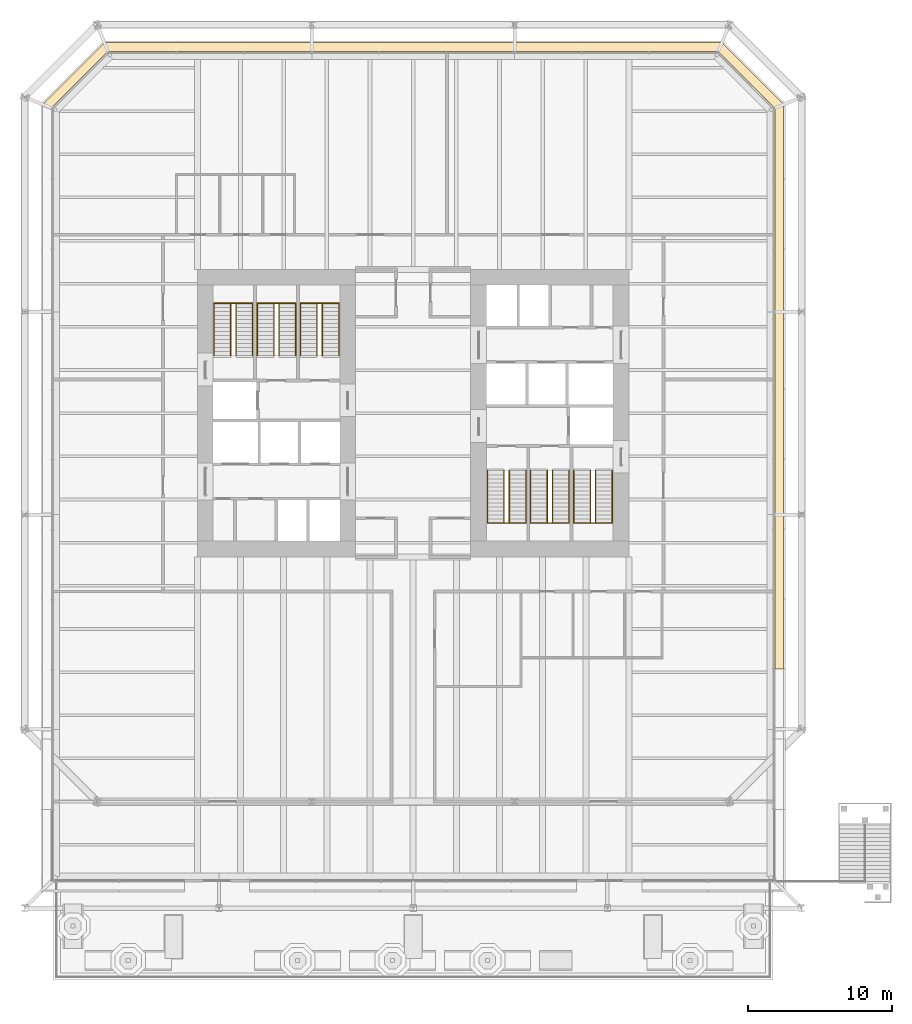
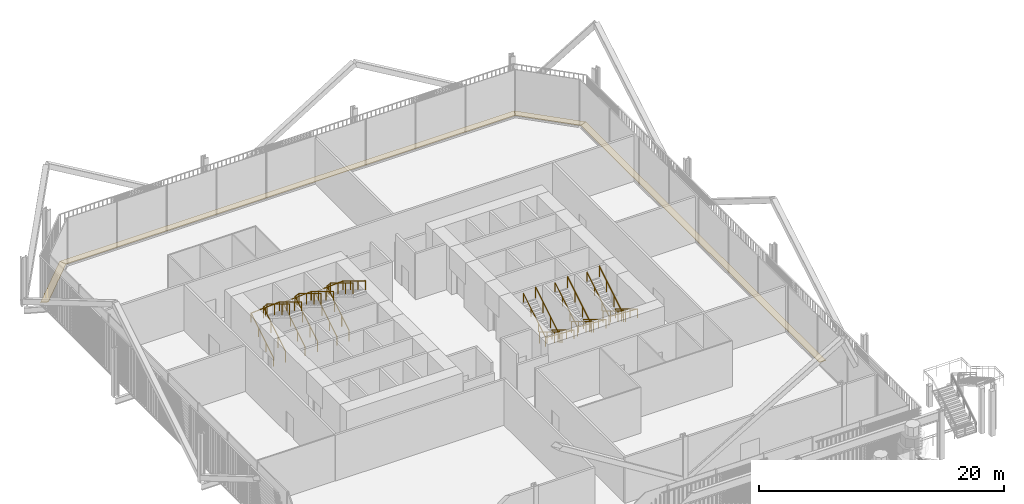
# One storey, part 25 of 26: 12 railings, 4 coverings.
"""IFC4 building model written with IfcOpenShell, lengths in metres."""

from ifc_helpers import new_model, si_unit, direction, frame, origin, origin_2d, place, context, subcontext, project, spatial, polyline, circle, outline, extrude, material, layer, layer_set, type_object, element, save


model = new_model("IFC4")

# Units and contexts
model_context = context("Model", 3, precision=1e-05, world=origin(), true_north=direction((0.0, 1.0)))
body_context = subcontext(model_context, "Body", "Model", "MODEL_VIEW")
ifc_project = project(units=[si_unit("LENGTHUNIT", "METRE"), si_unit("AREAUNIT", "SQUARE_METRE"), si_unit("VOLUMEUNIT", "CUBIC_METRE"), si_unit("PLANEANGLEUNIT", "RADIAN"), si_unit("MASSUNIT", "GRAM", prefix="KILO")], contexts=[model_context])

# Site, building, storey
site_placement = place(None, origin())
site = spatial("IfcSite", under=ifc_project, at=site_placement, CompositionType="ELEMENT")
building_placement = place(site_placement, origin())
building = spatial("IfcBuilding", under=site, at=building_placement, Name="Millrace Tower", CompositionType="ELEMENT")
storey_placement = place(building_placement, frame((0.0, 0.0, 11.300048828125)))
storey = spatial("IfcBuildingStorey", under=building, at=storey_placement, Name="L03", CompositionType="ELEMENT", Elevation=11.300048828125)

# Coverings
ifc_material_1 = material(Name="Steel ASTM A36", Category="steel")
ifc_layer = layer(ifc_material_1, 0.050048828125)
ifc_layer_set = layer_set([ifc_layer], Name="Steel ASTM A36")
covering_type = type_object("IfcCoveringType", Name="CAVITY CATWALK steel grating", PredefinedType="FLOORING", material=ifc_layer_set)
placement = place(storey_placement, frame((0.0, 0.0, 0.099853515625)))
element("IfcCovering", 1, at=placement, inside=storey, type_object=covering_type, Name="Cavity catwalk grating AW3-F02 L03 4", PredefinedType="FLOORING", context=body_context, shape_type="SweptSolid", body=[
    extrude(outline(polyline([(25.75, -17.79541015625), (25.75, 21.460693359375), (25.14990234375, 21.212158203125), (25.14990234375, -17.79541015625), (25.75, -17.79541015625)])), origin(), (0.0, 0.0, 1.0), 0.050048828125),
])
element("IfcCovering", 2, at=placement, inside=storey, type_object=covering_type, Name="Cavity catwalk grating AW3-F03 L03 1", PredefinedType="FLOORING", context=body_context, shape_type="SweptSolid", body=[
    extrude(outline(polyline([(25.75, 21.460693359375), (21.460693359375, 25.75), (21.212158203125, 25.14990234375), (25.14990234375, 21.212158203125), (25.75, 21.460693359375)])), origin(), (0.0, 0.0, 1.0), 0.050048828125),
])
element("IfcCovering", 3, at=placement, inside=storey, type_object=covering_type, Name="Cavity catwalk grating AW3-F04 L03 1", PredefinedType="FLOORING", context=body_context, shape_type="SweptSolid", body=[
    extrude(outline(polyline([(21.460693359375, 25.75), (-21.460693359375, 25.75), (-21.212158203125, 25.14990234375), (21.212158203125, 25.14990234375), (21.460693359375, 25.75)])), origin(), (0.0, 0.0, 1.0), 0.050048828125),
])
element("IfcCovering", 4, at=placement, inside=storey, type_object=covering_type, Name="Cavity catwalk grating AW3-F05 L03 1", PredefinedType="FLOORING", context=body_context, shape_type="SweptSolid", body=[
    extrude(outline(polyline([(-21.460693359375, 25.75), (-25.75, 21.460693359375), (-25.14990234375, 21.212158203125), (-21.212158203125, 25.14990234375), (-21.460693359375, 25.75)])), origin(), (0.0, 0.0, 1.0), 0.050048828125),
])

# Railings
ifc_material_2 = material(Name="Stainless steel ASTM A240 type 316", Category="steel")
railing_type_1 = type_object("IfcRailingType", Name="Stair guard 1100", PredefinedType="GUARDRAIL", material=ifc_material_2)
for number, where, name in (
    (5, (-12.679931640625, 4.0, 0.17138671875), "Stair guard 1 W L03"),
    (6, (-9.679931640625, 4.0, 0.17138671875), "Stair guard 2 W L03"),
    (7, (-6.679931640625, 4.0, 0.17138671875), "Stair guard 3 W L03"),
):
    element("IfcRailing", number, at=place(storey_placement, frame(where)), inside=storey, type_object=railing_type_1, Name=name, PredefinedType="GUARDRAIL", context=body_context, shape_type="SweptSolid", body=[
        extrude(circle(Radius=0.02392578125, at=origin_2d()), frame((0.0, 0.0, 1.076171875), z_axis=(0.0, 0.852850264322, 0.5221555579), x_axis=(-1.0, 0.0, 0.0)), (0.0, 0.0, 1.0), 4.267822265625),
        extrude(circle(Radius=0.02392578125, at=origin_2d()), frame((0.0, 3.639892578125, 3.3046875), z_axis=(0.902837873996, 0.0, 0.429981131306), x_axis=(0.0, 1.0, 0.0)), (0.0, 0.0, 1.0), 0.398681640625),
        extrude(circle(Radius=0.02392578125, at=origin_2d()), frame((0.35986328125, 3.639892578125, 3.47607421875), z_axis=(0.0, -0.852824790078, 0.522197163366), x_axis=(1.0, 0.0, 0.0)), (0.0, 0.0, 1.0), 4.26806640625),
        extrude(circle(Radius=0.02099609375, at=origin_2d()), origin(), (0.0, 0.0, 1.0), 1.052001953125),
        extrude(circle(Radius=0.02099609375, at=origin_2d()), frame((0.0, 1.21337890625, 0.742919921875)), (0.0, 0.0, 1.0), 1.052001953125),
        extrude(circle(Radius=0.02099609375, at=origin_2d()), frame((0.0, 2.426513671875, 1.485595703125)), (0.0, 0.0, 1.0), 1.052001953125),
        extrude(circle(Radius=0.02099609375, at=origin_2d()), frame((0.0, 3.639892578125, 2.228515625)), (0.0, 0.0, 1.0), 1.052001953125),
        extrude(circle(Radius=0.02099609375, at=origin_2d()), frame((0.35986328125, 3.639892578125, 2.39990234375)), (0.0, 0.0, 1.0), 1.052001953125),
        extrude(circle(Radius=0.02099609375, at=origin_2d()), frame((0.35986328125, 2.426513671875, 3.142822265625)), (0.0, 0.0, 1.0), 1.052001953125),
        extrude(circle(Radius=0.02099609375, at=origin_2d()), frame((0.35986328125, 1.21337890625, 3.8857421875)), (0.0, 0.0, 1.0), 1.052001953125),
        extrude(circle(Radius=0.02099609375, at=origin_2d()), frame((0.35986328125, 0.0, 4.628662109375)), (0.0, 0.0, 1.0), 1.052001953125),
    ])
for number, where, name in (
    (8, (12.679931640625, -4.0, 0.17138671875), "Stair guard 1 E L03"),
    (9, (9.679931640625, -4.0, 0.17138671875), "Stair guard 2 E L03"),
    (10, (6.679931640625, -4.0, 0.17138671875), "Stair guard 3 E L03"),
):
    element("IfcRailing", number, at=place(storey_placement, frame(where)), inside=storey, type_object=railing_type_1, Name=name, PredefinedType="GUARDRAIL", context=body_context, shape_type="SweptSolid", body=[
        extrude(circle(Radius=0.02392578125, at=origin_2d()), frame((0.0, 0.0, 1.076171875), z_axis=(0.0, -0.852850264322, 0.5221555579), x_axis=(1.0, 0.0, 0.0)), (0.0, 0.0, 1.0), 4.267822265625),
        extrude(circle(Radius=0.02392578125, at=origin_2d()), frame((0.0, -3.639892578125, 3.3046875), z_axis=(-0.902837873996, 0.0, 0.429981131306), x_axis=(0.0, -1.0, 0.0)), (0.0, 0.0, 1.0), 0.398681640625),
        extrude(circle(Radius=0.02392578125, at=origin_2d()), frame((-0.35986328125, -3.639892578125, 3.47607421875), z_axis=(0.0, 0.852824790078, 0.522197163366), x_axis=(-1.0, 0.0, 0.0)), (0.0, 0.0, 1.0), 4.26806640625),
        extrude(circle(Radius=0.02099609375, at=origin_2d()), origin(), (0.0, 0.0, 1.0), 1.052001953125),
        extrude(circle(Radius=0.02099609375, at=origin_2d()), frame((0.0, -1.21337890625, 0.742919921875)), (0.0, 0.0, 1.0), 1.052001953125),
        extrude(circle(Radius=0.02099609375, at=origin_2d()), frame((0.0, -2.426513671875, 1.485595703125)), (0.0, 0.0, 1.0), 1.052001953125),
        extrude(circle(Radius=0.02099609375, at=origin_2d()), frame((0.0, -3.639892578125, 2.228515625)), (0.0, 0.0, 1.0), 1.052001953125),
        extrude(circle(Radius=0.02099609375, at=origin_2d()), frame((-0.35986328125, -3.639892578125, 2.39990234375)), (0.0, 0.0, 1.0), 1.052001953125),
        extrude(circle(Radius=0.02099609375, at=origin_2d()), frame((-0.35986328125, -2.426513671875, 3.142822265625)), (0.0, 0.0, 1.0), 1.052001953125),
        extrude(circle(Radius=0.02099609375, at=origin_2d()), frame((-0.35986328125, -1.21337890625, 3.8857421875)), (0.0, 0.0, 1.0), 1.052001953125),
        extrude(circle(Radius=0.02099609375, at=origin_2d()), frame((-0.35986328125, 0.0, 4.628662109375)), (0.0, 0.0, 1.0), 1.052001953125),
    ])
ifc_material_3 = material(Name="Stainless steel ASTM A240 type 316", Category="steel")
railing_type_2 = type_object("IfcRailingType", Name="Stair handrail 900", PredefinedType="HANDRAIL", material=ifc_material_3)
railing_1_placement = place(storey_placement, frame((-13.840087890625, 4.0, 0.17138671875)))
element("IfcRailing", 11, at=railing_1_placement, inside=storey, type_object=railing_type_2, Name="Stair handrail 1 W L03", PredefinedType="HANDRAIL", context=body_context, shape_type="SweptSolid", body=[
    extrude(circle(Radius=0.02392578125, at=origin_2d()), frame((0.0, 0.0, 0.8759765625), z_axis=(0.0, 0.852850264322, 0.5221555579), x_axis=(-1.0, 0.0, 0.0)), (0.0, 0.0, 1.0), 4.267822265625),
    extrude(circle(Radius=0.02392578125, at=origin_2d()), frame((0.0, 3.639892578125, 3.1044921875), z_axis=(0.9979616988, 0.0, 0.063815732607), x_axis=(0.0, 1.0, 0.0)), (0.0, 0.0, 1.0), 2.685546875),
    extrude(circle(Radius=0.02392578125, at=origin_2d()), frame((2.68017578125, 3.639892578125, 3.27587890625), z_axis=(0.0, -0.852824790078, 0.522197163366), x_axis=(1.0, 0.0, 0.0)), (0.0, 0.0, 1.0), 4.26806640625),
    extrude(circle(Radius=0.02099609375, at=origin_2d()), origin(), (0.0, 0.0, 1.0), 0.851806640625),
    extrude(circle(Radius=0.02099609375, at=origin_2d()), frame((0.0, 1.21337890625, 0.742919921875)), (0.0, 0.0, 1.0), 0.851806640625),
    extrude(circle(Radius=0.02099609375, at=origin_2d()), frame((0.0, 2.426513671875, 1.485595703125)), (0.0, 0.0, 1.0), 0.851806640625),
    extrude(circle(Radius=0.02099609375, at=origin_2d()), frame((0.0, 3.639892578125, 2.228515625)), (0.0, 0.0, 1.0), 0.851806640625),
    extrude(circle(Radius=0.02099609375, at=origin_2d()), frame((1.340087890625, 3.639892578125, 2.314208984375)), (0.0, 0.0, 1.0), 0.851806640625),
    extrude(circle(Radius=0.02099609375, at=origin_2d()), frame((2.68017578125, 3.639892578125, 2.39990234375)), (0.0, 0.0, 1.0), 0.851806640625),
    extrude(circle(Radius=0.02099609375, at=origin_2d()), frame((2.68017578125, 2.426513671875, 3.142822265625)), (0.0, 0.0, 1.0), 0.851806640625),
    extrude(circle(Radius=0.02099609375, at=origin_2d()), frame((2.68017578125, 1.21337890625, 3.8857421875)), (0.0, 0.0, 1.0), 0.851806640625),
    extrude(circle(Radius=0.02099609375, at=origin_2d()), frame((2.68017578125, 0.0, 4.628662109375)), (0.0, 0.0, 1.0), 0.851806640625),
])
railing_2_placement = place(storey_placement, frame((-10.840087890625, 4.0, 0.17138671875)))
element("IfcRailing", 12, at=railing_2_placement, inside=storey, type_object=railing_type_2, Name="Stair handrail 2 W L03", PredefinedType="HANDRAIL", context=body_context, shape_type="SweptSolid", body=[
    extrude(circle(Radius=0.02392578125, at=origin_2d()), frame((0.0, 0.0, 0.8759765625), z_axis=(0.0, 0.852850264322, 0.5221555579), x_axis=(-1.0, 0.0, 0.0)), (0.0, 0.0, 1.0), 4.267822265625),
    extrude(circle(Radius=0.02392578125, at=origin_2d()), frame((0.0, 3.639892578125, 3.1044921875), z_axis=(0.9979616988, 0.0, 0.063815732607), x_axis=(0.0, 1.0, 0.0)), (0.0, 0.0, 1.0), 2.685546875),
    extrude(circle(Radius=0.02392578125, at=origin_2d()), frame((2.68017578125, 3.639892578125, 3.27587890625), z_axis=(0.0, -0.852824790078, 0.522197163366), x_axis=(1.0, 0.0, 0.0)), (0.0, 0.0, 1.0), 4.26806640625),
    extrude(circle(Radius=0.02099609375, at=origin_2d()), origin(), (0.0, 0.0, 1.0), 0.851806640625),
    extrude(circle(Radius=0.02099609375, at=origin_2d()), frame((0.0, 1.21337890625, 0.742919921875)), (0.0, 0.0, 1.0), 0.851806640625),
    extrude(circle(Radius=0.02099609375, at=origin_2d()), frame((0.0, 2.426513671875, 1.485595703125)), (0.0, 0.0, 1.0), 0.851806640625),
    extrude(circle(Radius=0.02099609375, at=origin_2d()), frame((0.0, 3.639892578125, 2.228515625)), (0.0, 0.0, 1.0), 0.851806640625),
    extrude(circle(Radius=0.02099609375, at=origin_2d()), frame((1.340087890625, 3.639892578125, 2.314208984375)), (0.0, 0.0, 1.0), 0.851806640625),
    extrude(circle(Radius=0.02099609375, at=origin_2d()), frame((2.68017578125, 3.639892578125, 2.39990234375)), (0.0, 0.0, 1.0), 0.851806640625),
    extrude(circle(Radius=0.02099609375, at=origin_2d()), frame((2.68017578125, 2.426513671875, 3.142822265625)), (0.0, 0.0, 1.0), 0.851806640625),
    extrude(circle(Radius=0.02099609375, at=origin_2d()), frame((2.68017578125, 1.21337890625, 3.8857421875)), (0.0, 0.0, 1.0), 0.851806640625),
    extrude(circle(Radius=0.02099609375, at=origin_2d()), frame((2.68017578125, 0.0, 4.628662109375)), (0.0, 0.0, 1.0), 0.851806640625),
])
railing_3_placement = place(storey_placement, frame((-7.840087890625, 4.0, 0.17138671875)))
element("IfcRailing", 13, at=railing_3_placement, inside=storey, type_object=railing_type_2, Name="Stair handrail 3 W L03", PredefinedType="HANDRAIL", context=body_context, shape_type="SweptSolid", body=[
    extrude(circle(Radius=0.02392578125, at=origin_2d()), frame((0.0, 0.0, 0.8759765625), z_axis=(0.0, 0.852850264322, 0.5221555579), x_axis=(-1.0, 0.0, 0.0)), (0.0, 0.0, 1.0), 4.267822265625),
    extrude(circle(Radius=0.02392578125, at=origin_2d()), frame((0.0, 3.639892578125, 3.1044921875), z_axis=(0.9979616988, 0.0, 0.063815732607), x_axis=(0.0, 1.0, 0.0)), (0.0, 0.0, 1.0), 2.685546875),
    extrude(circle(Radius=0.02392578125, at=origin_2d()), frame((2.68017578125, 3.639892578125, 3.27587890625), z_axis=(0.0, -0.852824790078, 0.522197163366), x_axis=(1.0, 0.0, 0.0)), (0.0, 0.0, 1.0), 4.26806640625),
    extrude(circle(Radius=0.02099609375, at=origin_2d()), origin(), (0.0, 0.0, 1.0), 0.851806640625),
    extrude(circle(Radius=0.02099609375, at=origin_2d()), frame((0.0, 1.21337890625, 0.742919921875)), (0.0, 0.0, 1.0), 0.851806640625),
    extrude(circle(Radius=0.02099609375, at=origin_2d()), frame((0.0, 2.426513671875, 1.485595703125)), (0.0, 0.0, 1.0), 0.851806640625),
    extrude(circle(Radius=0.02099609375, at=origin_2d()), frame((0.0, 3.639892578125, 2.228515625)), (0.0, 0.0, 1.0), 0.851806640625),
    extrude(circle(Radius=0.02099609375, at=origin_2d()), frame((1.340087890625, 3.639892578125, 2.314208984375)), (0.0, 0.0, 1.0), 0.851806640625),
    extrude(circle(Radius=0.02099609375, at=origin_2d()), frame((2.68017578125, 3.639892578125, 2.39990234375)), (0.0, 0.0, 1.0), 0.851806640625),
    extrude(circle(Radius=0.02099609375, at=origin_2d()), frame((2.68017578125, 2.426513671875, 3.142822265625)), (0.0, 0.0, 1.0), 0.851806640625),
    extrude(circle(Radius=0.02099609375, at=origin_2d()), frame((2.68017578125, 1.21337890625, 3.8857421875)), (0.0, 0.0, 1.0), 0.851806640625),
    extrude(circle(Radius=0.02099609375, at=origin_2d()), frame((2.68017578125, 0.0, 4.628662109375)), (0.0, 0.0, 1.0), 0.851806640625),
])
railing_4_placement = place(storey_placement, frame((13.840087890625, -4.0, 0.17138671875)))
element("IfcRailing", 14, at=railing_4_placement, inside=storey, type_object=railing_type_2, Name="Stair handrail 1 E L03", PredefinedType="HANDRAIL", context=body_context, shape_type="SweptSolid", body=[
    extrude(circle(Radius=0.02392578125, at=origin_2d()), frame((0.0, 0.0, 0.8759765625), z_axis=(0.0, -0.852850264322, 0.5221555579), x_axis=(1.0, 0.0, 0.0)), (0.0, 0.0, 1.0), 4.267822265625),
    extrude(circle(Radius=0.02392578125, at=origin_2d()), frame((0.0, -3.639892578125, 3.1044921875), z_axis=(-0.9979616988, 0.0, 0.063815732607), x_axis=(0.0, -1.0, 0.0)), (0.0, 0.0, 1.0), 2.685546875),
    extrude(circle(Radius=0.02392578125, at=origin_2d()), frame((-2.68017578125, -3.639892578125, 3.27587890625), z_axis=(0.0, 0.852824790078, 0.522197163366), x_axis=(-1.0, 0.0, 0.0)), (0.0, 0.0, 1.0), 4.26806640625),
    extrude(circle(Radius=0.02099609375, at=origin_2d()), origin(), (0.0, 0.0, 1.0), 0.851806640625),
    extrude(circle(Radius=0.02099609375, at=origin_2d()), frame((0.0, -1.21337890625, 0.742919921875)), (0.0, 0.0, 1.0), 0.851806640625),
    extrude(circle(Radius=0.02099609375, at=origin_2d()), frame((0.0, -2.426513671875, 1.485595703125)), (0.0, 0.0, 1.0), 0.851806640625),
    extrude(circle(Radius=0.02099609375, at=origin_2d()), frame((0.0, -3.639892578125, 2.228515625)), (0.0, 0.0, 1.0), 0.851806640625),
    extrude(circle(Radius=0.02099609375, at=origin_2d()), frame((-1.340087890625, -3.639892578125, 2.314208984375)), (0.0, 0.0, 1.0), 0.851806640625),
    extrude(circle(Radius=0.02099609375, at=origin_2d()), frame((-2.68017578125, -3.639892578125, 2.39990234375)), (0.0, 0.0, 1.0), 0.851806640625),
    extrude(circle(Radius=0.02099609375, at=origin_2d()), frame((-2.68017578125, -2.426513671875, 3.142822265625)), (0.0, 0.0, 1.0), 0.851806640625),
    extrude(circle(Radius=0.02099609375, at=origin_2d()), frame((-2.68017578125, -1.21337890625, 3.8857421875)), (0.0, 0.0, 1.0), 0.851806640625),
    extrude(circle(Radius=0.02099609375, at=origin_2d()), frame((-2.68017578125, 0.0, 4.628662109375)), (0.0, 0.0, 1.0), 0.851806640625),
])
railing_5_placement = place(storey_placement, frame((10.840087890625, -4.0, 0.17138671875)))
element("IfcRailing", 15, at=railing_5_placement, inside=storey, type_object=railing_type_2, Name="Stair handrail 2 E L03", PredefinedType="HANDRAIL", context=body_context, shape_type="SweptSolid", body=[
    extrude(circle(Radius=0.02392578125, at=origin_2d()), frame((0.0, 0.0, 0.8759765625), z_axis=(0.0, -0.852850264322, 0.5221555579), x_axis=(1.0, 0.0, 0.0)), (0.0, 0.0, 1.0), 4.267822265625),
    extrude(circle(Radius=0.02392578125, at=origin_2d()), frame((0.0, -3.639892578125, 3.1044921875), z_axis=(-0.9979616988, 0.0, 0.063815732607), x_axis=(0.0, -1.0, 0.0)), (0.0, 0.0, 1.0), 2.685546875),
    extrude(circle(Radius=0.02392578125, at=origin_2d()), frame((-2.68017578125, -3.639892578125, 3.27587890625), z_axis=(0.0, 0.852824790078, 0.522197163366), x_axis=(-1.0, 0.0, 0.0)), (0.0, 0.0, 1.0), 4.26806640625),
    extrude(circle(Radius=0.02099609375, at=origin_2d()), origin(), (0.0, 0.0, 1.0), 0.851806640625),
    extrude(circle(Radius=0.02099609375, at=origin_2d()), frame((0.0, -1.21337890625, 0.742919921875)), (0.0, 0.0, 1.0), 0.851806640625),
    extrude(circle(Radius=0.02099609375, at=origin_2d()), frame((0.0, -2.426513671875, 1.485595703125)), (0.0, 0.0, 1.0), 0.851806640625),
    extrude(circle(Radius=0.02099609375, at=origin_2d()), frame((0.0, -3.639892578125, 2.228515625)), (0.0, 0.0, 1.0), 0.851806640625),
    extrude(circle(Radius=0.02099609375, at=origin_2d()), frame((-1.340087890625, -3.639892578125, 2.314208984375)), (0.0, 0.0, 1.0), 0.851806640625),
    extrude(circle(Radius=0.02099609375, at=origin_2d()), frame((-2.68017578125, -3.639892578125, 2.39990234375)), (0.0, 0.0, 1.0), 0.851806640625),
    extrude(circle(Radius=0.02099609375, at=origin_2d()), frame((-2.68017578125, -2.426513671875, 3.142822265625)), (0.0, 0.0, 1.0), 0.851806640625),
    extrude(circle(Radius=0.02099609375, at=origin_2d()), frame((-2.68017578125, -1.21337890625, 3.8857421875)), (0.0, 0.0, 1.0), 0.851806640625),
    extrude(circle(Radius=0.02099609375, at=origin_2d()), frame((-2.68017578125, 0.0, 4.628662109375)), (0.0, 0.0, 1.0), 0.851806640625),
])
railing_6_placement = place(storey_placement, frame((7.840087890625, -4.0, 0.17138671875)))
element("IfcRailing", 16, at=railing_6_placement, inside=storey, type_object=railing_type_2, Name="Stair handrail 3 E L03", PredefinedType="HANDRAIL", context=body_context, shape_type="SweptSolid", body=[
    extrude(circle(Radius=0.02392578125, at=origin_2d()), frame((0.0, 0.0, 0.8759765625), z_axis=(0.0, -0.852850264322, 0.5221555579), x_axis=(1.0, 0.0, 0.0)), (0.0, 0.0, 1.0), 4.267822265625),
    extrude(circle(Radius=0.02392578125, at=origin_2d()), frame((0.0, -3.639892578125, 3.1044921875), z_axis=(-0.9979616988, 0.0, 0.063815732607), x_axis=(0.0, -1.0, 0.0)), (0.0, 0.0, 1.0), 2.685546875),
    extrude(circle(Radius=0.02392578125, at=origin_2d()), frame((-2.68017578125, -3.639892578125, 3.27587890625), z_axis=(0.0, 0.852824790078, 0.522197163366), x_axis=(-1.0, 0.0, 0.0)), (0.0, 0.0, 1.0), 4.26806640625),
    extrude(circle(Radius=0.02099609375, at=origin_2d()), origin(), (0.0, 0.0, 1.0), 0.851806640625),
    extrude(circle(Radius=0.02099609375, at=origin_2d()), frame((0.0, -1.21337890625, 0.742919921875)), (0.0, 0.0, 1.0), 0.851806640625),
    extrude(circle(Radius=0.02099609375, at=origin_2d()), frame((0.0, -2.426513671875, 1.485595703125)), (0.0, 0.0, 1.0), 0.851806640625),
    extrude(circle(Radius=0.02099609375, at=origin_2d()), frame((0.0, -3.639892578125, 2.228515625)), (0.0, 0.0, 1.0), 0.851806640625),
    extrude(circle(Radius=0.02099609375, at=origin_2d()), frame((-1.340087890625, -3.639892578125, 2.314208984375)), (0.0, 0.0, 1.0), 0.851806640625),
    extrude(circle(Radius=0.02099609375, at=origin_2d()), frame((-2.68017578125, -3.639892578125, 2.39990234375)), (0.0, 0.0, 1.0), 0.851806640625),
    extrude(circle(Radius=0.02099609375, at=origin_2d()), frame((-2.68017578125, -2.426513671875, 3.142822265625)), (0.0, 0.0, 1.0), 0.851806640625),
    extrude(circle(Radius=0.02099609375, at=origin_2d()), frame((-2.68017578125, -1.21337890625, 3.8857421875)), (0.0, 0.0, 1.0), 0.851806640625),
    extrude(circle(Radius=0.02099609375, at=origin_2d()), frame((-2.68017578125, 0.0, 4.628662109375)), (0.0, 0.0, 1.0), 0.851806640625),
])

save(model, "model.ifc")
